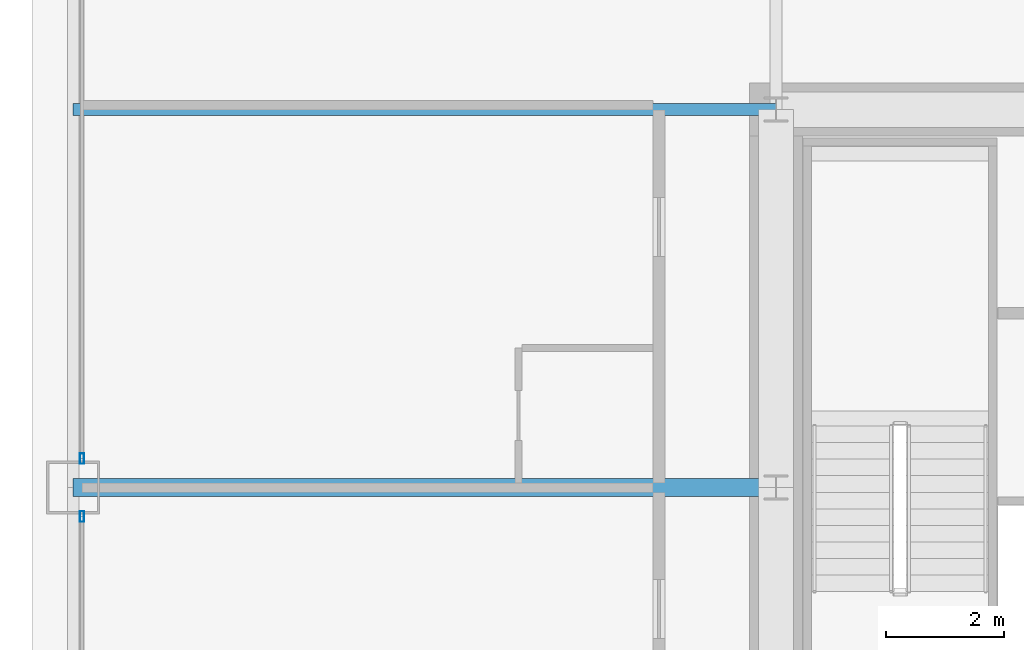
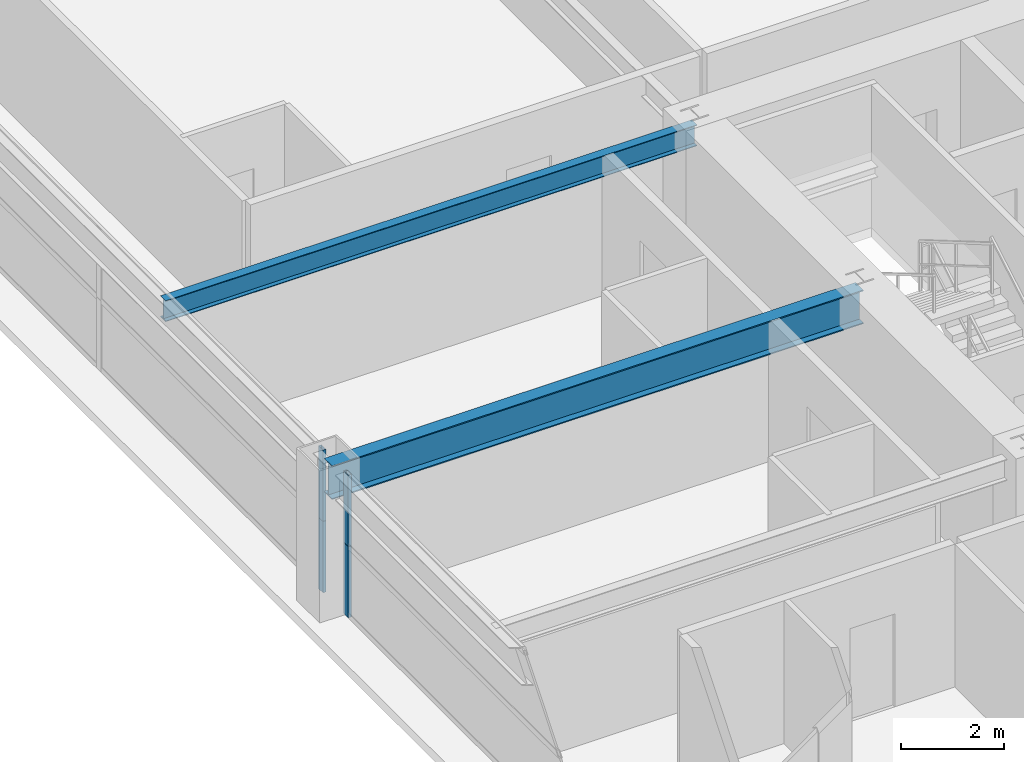
# One storey, part 11 of 43: 4 members, 2 beams, 2 elements without a shape of their own.
"""IFC4 building model written with IfcOpenShell, lengths in metres."""

from ifc_helpers import new_model, si_unit, direction, frame, origin, origin_2d, place, context, subcontext, project, spatial, hollow_rectangle, i_section, extrude, source, transform, mapped, material, layer, layer_set, material_profile, profile_set, type_object, element, aggregate, save


model = new_model("IFC4")

# Units and contexts
model_context = context("Model", 3, precision=1e-05, world=origin(), true_north=direction((0.0, 1.0)))
body_context = subcontext(model_context, "Body", "Model", "MODEL_VIEW")
ifc_project = project(units=[si_unit("LENGTHUNIT", "METRE"), si_unit("AREAUNIT", "SQUARE_METRE"), si_unit("VOLUMEUNIT", "CUBIC_METRE"), si_unit("PLANEANGLEUNIT", "RADIAN"), si_unit("MASSUNIT", "GRAM", prefix="KILO"), si_unit("THERMODYNAMICTEMPERATUREUNIT", "KELVIN"), si_unit("POWERUNIT", "WATT")], contexts=[model_context])

# Site, building, storey
site_placement = place(None, origin())
site = spatial("IfcSite", under=ifc_project, at=site_placement, CompositionType="ELEMENT")
building_placement = place(site_placement, origin())
building = spatial("IfcBuilding", under=site, at=building_placement, Name="Yuzanri Waterfront Tower", CompositionType="ELEMENT")
storey_placement = place(building_placement, frame((0.0, 0.0, 60.39990234375)))
storey = spatial("IfcBuildingStorey", under=building, at=storey_placement, Name="L15", CompositionType="ELEMENT", Elevation=60.39990234375)

# Beams
ifc_material_1 = material(Name="Steel Q355B", Category="steel")
ifc_material_profile_1 = material_profile(ifc_material_1, i_section(OverallWidth=0.300048828125, OverallDepth=0.800048828125, WebThickness=0.013916015625, FlangeThickness=0.02587890625, at=origin_2d()), Name="HN 800x300x14x26")
ifc_profile_set_1 = profile_set([ifc_material_profile_1], Name="Steel Q355B")
beam_type_1 = type_object("IfcBeamType", Name="Primary Floor Girder Q355B HN 800x300", PredefinedType="BEAM", material=ifc_profile_set_1)
shared_shape_1 = source(origin(), body_context, "Body", "SweptSolid", [
    extrude(i_section(OverallWidth=0.300048828125, OverallDepth=0.800048828125, WebThickness=0.013916015625, FlangeThickness=0.02587890625, at=origin_2d()), origin(), (0.0, 0.0, 1.0), 11.900146484375),
])
beam_1_placement = place(storey_placement, frame((23.800048828125, 25.800048828125, 2.97998046875), z_axis=(-1.0, 0.0, 0.0), x_axis=(0.0, -1.0, 0.0)))
element("IfcBeam", 1, at=beam_1_placement, inside=storey, type_object=beam_type_1, Name="L15 West Grid Girder", PredefinedType="BEAM", context=body_context, shape_type="MappedRepresentation", body=[
    mapped(shared_shape_1, transform((0.0, 0.0, 0.0), scale=1.0)),
])
ifc_material_2 = material(Name="Steel Q355B", Category="steel")
ifc_material_profile_2 = material_profile(ifc_material_2, i_section(OverallWidth=0.199951171875, OverallDepth=0.5, WebThickness=0.010009765625, FlangeThickness=0.01611328125, at=origin_2d()), Name="HN 500x200x10x16")
ifc_profile_set_2 = profile_set([ifc_material_profile_2], Name="Steel Q355B")
beam_type_2 = type_object("IfcBeamType", Name="Secondary Floor Beam Q355B HN 500x200", PredefinedType="BEAM", material=ifc_profile_set_2)
shared_shape_2 = source(origin(), body_context, "Body", "SweptSolid", [
    extrude(i_section(OverallWidth=0.199951171875, OverallDepth=0.5, WebThickness=0.010009765625, FlangeThickness=0.01611328125, at=origin_2d()), origin(), (0.0, 0.0, 1.0), 11.900146484375),
])
beam_2_placement = place(storey_placement, frame((23.800048828125, 32.199951171875, 3.130126953125), z_axis=(-1.0, 0.0, 0.0), x_axis=(0.0, -1.0, 0.0)))
element("IfcBeam", 2, at=beam_2_placement, inside=storey, type_object=beam_type_2, Name="L15 West-North Core Line Beam", PredefinedType="BEAM", context=body_context, shape_type="MappedRepresentation", body=[
    mapped(shared_shape_2, transform((0.0, 0.0, 0.0), scale=1.0)),
])

# Curtain wall, members
ifc_material_3 = material(Name="Anodized Architectural Bronze", Category="metal")
ifc_layer = layer(ifc_material_3, 0.159912109375)
ifc_layer_set = layer_set([ifc_layer], Name="Anodized Architectural Bronze")
curtain_wall_type = type_object("IfcCurtainWallType", Name="Anodized Bronze Hotel Lower-Tier Recessed Unitized Curtain Wall 8100", PredefinedType="NOTDEFINED", material=ifc_layer_set)
curtain_wall_1_placement = place(storey_placement, origin())
curtain_wall_1 = element("IfcCurtainWall", 3, at=curtain_wall_1_placement, inside=storey, type_object=curtain_wall_type, Name="L15 Curtain Wall CW-L15-WL", PredefinedType="NOTDEFINED")
ifc_material_4 = material(Name="Anodized Architectural Bronze", Category="metal")
ifc_material_profile_3 = material_profile(ifc_material_4, hollow_rectangle(XDim=0.070068359375, YDim=0.179931640625, WallThickness=0.00390625, at=origin_2d()), Name="CWM 70x180")
ifc_profile_set_3 = profile_set([ifc_material_profile_3], Name="Anodized Architectural Bronze")
member_type = type_object("IfcMemberType", Name="Anodized Bronze Standard Curtain-Wall Mullion 70x180", PredefinedType="MULLION", material=ifc_profile_set_3)
shared_shape_3 = source(origin(), body_context, "Body", "SweptSolid", [
    extrude(hollow_rectangle(XDim=0.070068359375, YDim=0.179931640625, WallThickness=0.00390625, at=origin_2d()), origin(), (0.0, 0.0, 1.0), 1.68798828125),
])
member_1_placement = place(storey_placement, frame((12.050048828125, 25.31005859375, 0.0), z_axis=(0.0, 0.0, 1.0), x_axis=(1.0, 0.0, 0.0)))
member_1 = element("IfcMember", 4, at=member_1_placement, type_object=member_type, Name="CW-L15-WL Lower Mullion 02", PredefinedType="MULLION", context=body_context, shape_type="MappedRepresentation", body=[
    mapped(shared_shape_3, transform((0.0, 0.0, 0.0), scale=1.0)),
])
member_2_placement = place(storey_placement, frame((12.050048828125, 25.31005859375, 1.692138671875), z_axis=(0.0, 0.0, 1.0), x_axis=(1.0, 0.0, 0.0)))
member_2 = element("IfcMember", 5, at=member_2_placement, type_object=member_type, Name="CW-L15-WL Upper Mullion 02", PredefinedType="MULLION", context=body_context, shape_type="MappedRepresentation", body=[
    mapped(shared_shape_3, transform((0.0, 0.0, 0.0), scale=1.0)),
])
aggregate(curtain_wall_1, [member_1, member_2])

curtain_wall_2_placement = place(storey_placement, origin())
curtain_wall_2 = element("IfcCurtainWall", 6, at=curtain_wall_2_placement, inside=storey, type_object=curtain_wall_type, Name="L15 Curtain Wall CW-L15-WR", PredefinedType="NOTDEFINED")
member_3_placement = place(storey_placement, frame((12.050048828125, 26.2900390625, 0.0), z_axis=(0.0, 0.0, 1.0), x_axis=(1.0, 0.0, 0.0)))
member_3 = element("IfcMember", 7, at=member_3_placement, type_object=member_type, Name="CW-L15-WR Lower Mullion 00", PredefinedType="MULLION", context=body_context, shape_type="MappedRepresentation", body=[
    mapped(shared_shape_3, transform((0.0, 0.0, 0.0), scale=1.0)),
])
member_4_placement = place(storey_placement, frame((12.050048828125, 26.2900390625, 1.692138671875), z_axis=(0.0, 0.0, 1.0), x_axis=(1.0, 0.0, 0.0)))
member_4 = element("IfcMember", 8, at=member_4_placement, type_object=member_type, Name="CW-L15-WR Upper Mullion 00", PredefinedType="MULLION", context=body_context, shape_type="MappedRepresentation", body=[
    mapped(shared_shape_3, transform((0.0, 0.0, 0.0), scale=1.0)),
])
aggregate(curtain_wall_2, [member_3, member_4])

save(model, "model.ifc")
